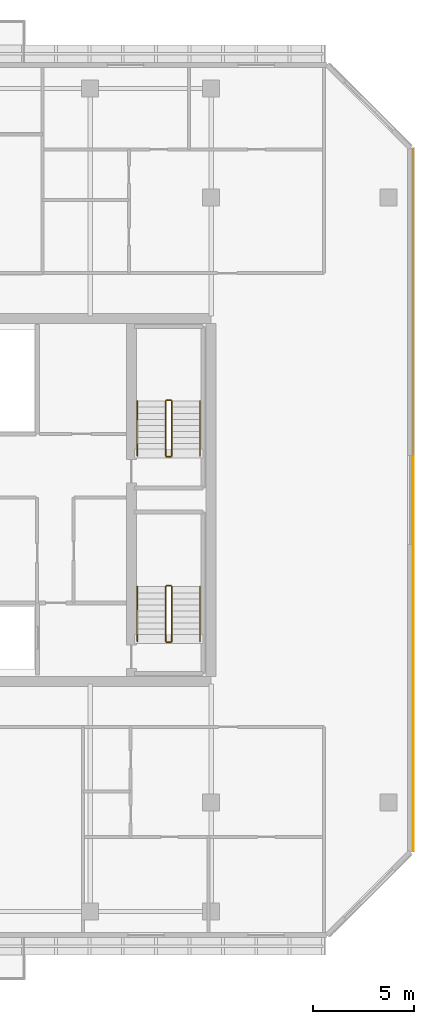
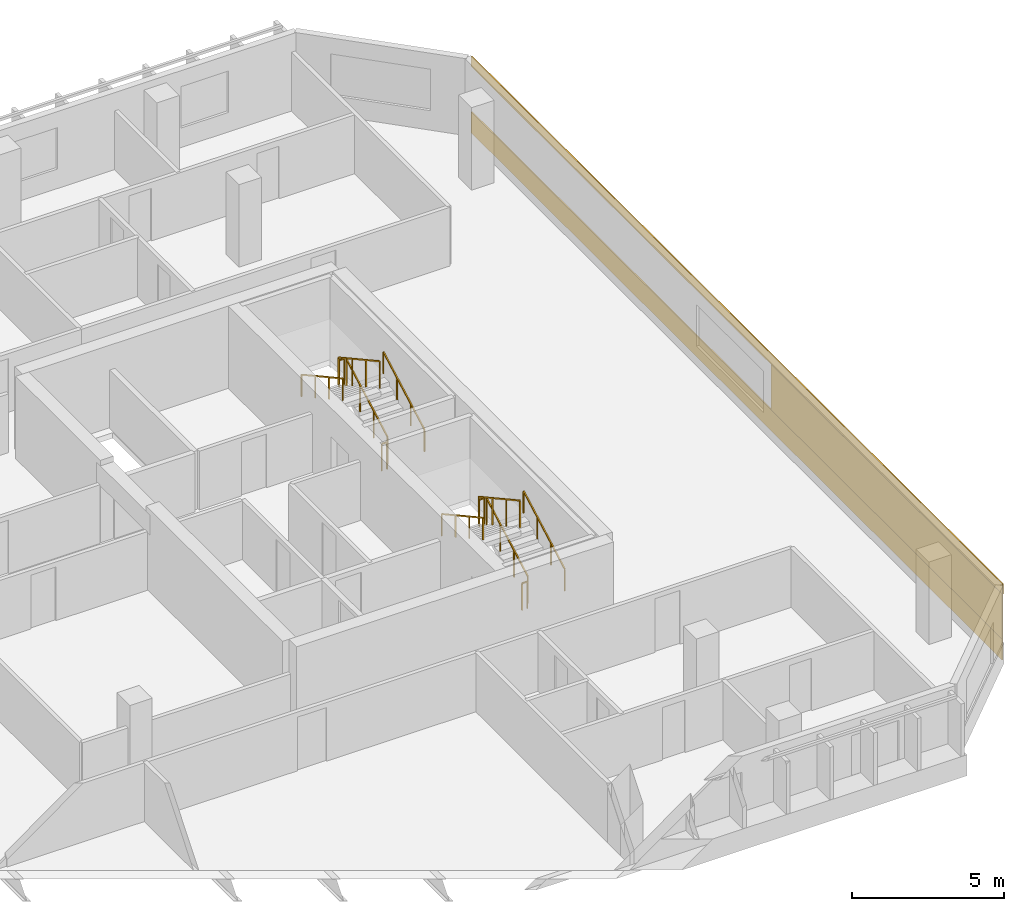
# One storey, part 18 of 19: 12 railings, 3 coverings.
"""IFC4 building model written with IfcOpenShell, lengths in metres."""

from ifc_helpers import new_model, si_unit, direction, frame, origin, origin_2d, place, context, subcontext, project, spatial, rectangle, extrude, material, layer, layer_set, type_object, element, save


model = new_model("IFC4")

# Units and contexts
model_context = context("Model", 3, precision=1e-05, world=origin(), true_north=direction((0.0, 1.0)))
body_context = subcontext(model_context, "Body", "Model", "MODEL_VIEW")
ifc_project = project(units=[si_unit("LENGTHUNIT", "METRE"), si_unit("AREAUNIT", "SQUARE_METRE"), si_unit("VOLUMEUNIT", "CUBIC_METRE"), si_unit("PLANEANGLEUNIT", "RADIAN"), si_unit("MASSUNIT", "GRAM", prefix="KILO")], contexts=[model_context])

# Site, building, storey
site_placement = place(None, origin())
site = spatial("IfcSite", under=ifc_project, at=site_placement, CompositionType="ELEMENT")
building_placement = place(site_placement, origin())
building = spatial("IfcBuilding", under=site, at=building_placement, Name="Tanjung Sevakor Pilgrim Tower", CompositionType="ELEMENT")
storey_placement = place(building_placement, frame((0.0, 0.0, 155.10009765625)))
storey = spatial("IfcBuildingStorey", under=building, at=storey_placement, Name="L43", CompositionType="ELEMENT", Elevation=155.10009765625)

# Coverings
ifc_material_1 = material(Name="Reconstructed Limestone Cladding", Category="masonry")
ifc_layer = layer(ifc_material_1, 0.044921875)
ifc_layer_set = layer_set([ifc_layer], Name="COV-CLAD-LIMESTONE")
covering_type = type_object("IfcCoveringType", Name="COV-CLAD-LIMESTONE", PredefinedType="CLADDING", material=ifc_layer_set)
covering_1_placement = place(storey_placement, frame((100.0224609375, 33.60009765625, 0.009765625), z_axis=(0.0, 0.0, 1.0), x_axis=(0.0, 1.0, 0.0)))
element("IfcCovering", 1, at=covering_1_placement, inside=storey, type_object=covering_type, Name="L43 Warm Limestone Sill Spandrel EW-L43-MAIN-7-1", PredefinedType="CLADDING", context=body_context, shape_type="SweptSolid", body=[
    extrude(rectangle(XDim=34.81640625, YDim=0.044921875, at=origin_2d()), origin(), (0.0, 0.0, 1.0), 0.840087890625),
])
covering_2_placement = place(storey_placement, frame((100.0224609375, 33.60009765625, 2.66015625), z_axis=(0.0, 0.0, 1.0), x_axis=(0.0, 1.0, 0.0)))
element("IfcCovering", 2, at=covering_2_placement, inside=storey, type_object=covering_type, Name="L43 Warm Limestone Cornice Spandrel EW-L43-MAIN-7", PredefinedType="CLADDING", context=body_context, shape_type="SweptSolid", body=[
    extrude(rectangle(XDim=34.8564453125, YDim=0.044921875, at=origin_2d()), origin(), (0.0, 0.0, 1.0), 0.409912109375),
])
covering_3_placement = place(storey_placement, frame((100.0224609375, 23.77099609375, 0.849853515625), z_axis=(0.0, 0.0, 1.0), x_axis=(0.0, 1.0, 0.0)))
element("IfcCovering", 3, at=covering_3_placement, inside=storey, type_object=covering_type, Name="L43 Warm Limestone Pier Panel EW-L43-MAIN-7-1", PredefinedType="CLADDING", context=body_context, shape_type="SweptSolid", body=[
    extrude(rectangle(XDim=15.158203125, YDim=0.044921875, at=origin_2d()), origin(), (0.0, 0.0, 1.0), 1.81005859375),
])

# Railings
ifc_material_2 = material(Name="Steel S355J2", Category="steel")
railing_type_1 = type_object("IfcRailingType", Name="RL-STAIR-GUARD", PredefinedType="GUARDRAIL", material=ifc_material_2)
railing_1_placement = place(storey_placement, frame((88.050048828125, 26.60009765625, 0.164794921875)))
element("IfcRailing", 4, at=railing_1_placement, inside=storey, type_object=railing_type_1, Name="L43 TS-E1 stair guard 1", PredefinedType="GUARDRAIL", context=body_context, shape_type="SweptSolid", body=[
    extrude(rectangle(XDim=0.0479, YDim=0.0479), frame((0.0, 0.0, 1.076171875), z_axis=(0.0, 0.876197507361, 0.481952205197), x_axis=(-1.0, 0.0, 0.0)), (0.0, 0.0, 1.0), 3.08154296875),
    extrude(rectangle(XDim=0.042, YDim=0.042), origin(), (0.0, 0.0, 1.0), 1.052001953125),
    extrude(rectangle(XDim=0.042, YDim=0.042), frame((0.0, 0.89990234375, 0.4951171875)), (0.0, 0.0, 1.0), 1.052001953125),
    extrude(rectangle(XDim=0.042, YDim=0.042), frame((0.0, 1.800048828125, 0.989990234375)), (0.0, 0.0, 1.0), 1.052001953125),
    extrude(rectangle(XDim=0.042, YDim=0.042), frame((0.0, 2.699951171875, 1.485107421875)), (0.0, 0.0, 1.0), 1.052001953125),
])
railing_2_placement = place(storey_placement, frame((88.0, 29.35009765625, 1.64990234375)))
element("IfcRailing", 5, at=railing_2_placement, inside=storey, type_object=railing_type_1, Name="L43 TS-E1 stair guard 2", PredefinedType="GUARDRAIL", context=body_context, shape_type="SweptSolid", body=[
    extrude(rectangle(XDim=0.0479, YDim=0.0479), frame((0.0, 0.0, 1.076171875), z_axis=(-1.0, 0.0, 0.0), x_axis=(0.0, -1.0, 0.0)), (0.0, 0.0, 1.0), 0.199951171875),
    extrude(rectangle(XDim=0.042, YDim=0.042), origin(), (0.0, 0.0, 1.0), 1.052001953125),
    extrude(rectangle(XDim=0.042, YDim=0.042), frame((-0.199951171875, 0.0, 0.0)), (0.0, 0.0, 1.0), 1.052001953125),
])
railing_3_placement = place(storey_placement, frame((87.75, 29.300048828125, 1.81494140625)))
element("IfcRailing", 6, at=railing_3_placement, inside=storey, type_object=railing_type_1, Name="L43 TS-E1 stair guard 3", PredefinedType="GUARDRAIL", context=body_context, shape_type="SweptSolid", body=[
    extrude(rectangle(XDim=0.0479, YDim=0.0479), frame((0.0, 0.0, 1.076171875), z_axis=(0.0, -0.876230963923, 0.481891375584), x_axis=(1.0, 0.0, 0.0)), (0.0, 0.0, 1.0), 3.081298828125),
    extrude(rectangle(XDim=0.042, YDim=0.042), origin(), (0.0, 0.0, 1.0), 1.052001953125),
    extrude(rectangle(XDim=0.042, YDim=0.042), frame((0.0, -0.89990234375, 0.494873046875)), (0.0, 0.0, 1.0), 1.052001953125),
    extrude(rectangle(XDim=0.042, YDim=0.042), frame((0.0, -1.800048828125, 0.989990234375)), (0.0, 0.0, 1.0), 1.052001953125),
    extrude(rectangle(XDim=0.042, YDim=0.042), frame((0.0, -2.699951171875, 1.48486328125)), (0.0, 0.0, 1.0), 1.052001953125),
])
railing_4_placement = place(storey_placement, frame((88.0, 26.550048828125, 0.0)))
element("IfcRailing", 7, at=railing_4_placement, inside=storey, type_object=railing_type_1, Name="L43 TS-E1 stair guard 4", PredefinedType="GUARDRAIL", context=body_context, shape_type="SweptSolid", body=[
    extrude(rectangle(XDim=0.0479, YDim=0.0479), frame((0.0, 0.0, 1.076171875), z_axis=(-1.0, 0.0, 0.0), x_axis=(0.0, -1.0, 0.0)), (0.0, 0.0, 1.0), 0.199951171875),
    extrude(rectangle(XDim=0.042, YDim=0.042), origin(), (0.0, 0.0, 1.0), 1.052001953125),
    extrude(rectangle(XDim=0.042, YDim=0.042), frame((-0.199951171875, 0.0, 0.0)), (0.0, 0.0, 1.0), 1.052001953125),
])
railing_5_placement = place(storey_placement, frame((88.050048828125, 35.800048828125, 0.164794921875)))
element("IfcRailing", 8, at=railing_5_placement, inside=storey, type_object=railing_type_1, Name="L43 TS-E2 stair guard 1", PredefinedType="GUARDRAIL", context=body_context, shape_type="SweptSolid", body=[
    extrude(rectangle(XDim=0.0479, YDim=0.0479), frame((0.0, 0.0, 1.076171875), z_axis=(0.0, 0.876197507361, 0.481952205197), x_axis=(-1.0, 0.0, 0.0)), (0.0, 0.0, 1.0), 3.08154296875),
    extrude(rectangle(XDim=0.042, YDim=0.042), origin(), (0.0, 0.0, 1.0), 1.052001953125),
    extrude(rectangle(XDim=0.042, YDim=0.042), frame((0.0, 0.89990234375, 0.4951171875)), (0.0, 0.0, 1.0), 1.052001953125),
    extrude(rectangle(XDim=0.042, YDim=0.042), frame((0.0, 1.800048828125, 0.989990234375)), (0.0, 0.0, 1.0), 1.052001953125),
    extrude(rectangle(XDim=0.042, YDim=0.042), frame((0.0, 2.699951171875, 1.485107421875)), (0.0, 0.0, 1.0), 1.052001953125),
])
railing_6_placement = place(storey_placement, frame((88.0, 38.550048828125, 1.64990234375)))
element("IfcRailing", 9, at=railing_6_placement, inside=storey, type_object=railing_type_1, Name="L43 TS-E2 stair guard 2", PredefinedType="GUARDRAIL", context=body_context, shape_type="SweptSolid", body=[
    extrude(rectangle(XDim=0.0479, YDim=0.0479), frame((0.0, 0.0, 1.076171875), z_axis=(-1.0, 0.0, 0.0), x_axis=(0.0, -1.0, 0.0)), (0.0, 0.0, 1.0), 0.199951171875),
    extrude(rectangle(XDim=0.042, YDim=0.042), origin(), (0.0, 0.0, 1.0), 1.052001953125),
    extrude(rectangle(XDim=0.042, YDim=0.042), frame((-0.199951171875, 0.0, 0.0)), (0.0, 0.0, 1.0), 1.052001953125),
])
railing_7_placement = place(storey_placement, frame((87.75, 38.5, 1.81494140625)))
element("IfcRailing", 10, at=railing_7_placement, inside=storey, type_object=railing_type_1, Name="L43 TS-E2 stair guard 3", PredefinedType="GUARDRAIL", context=body_context, shape_type="SweptSolid", body=[
    extrude(rectangle(XDim=0.0479, YDim=0.0479), frame((0.0, 0.0, 1.076171875), z_axis=(0.0, -0.876230963923, 0.481891375584), x_axis=(1.0, 0.0, 0.0)), (0.0, 0.0, 1.0), 3.081298828125),
    extrude(rectangle(XDim=0.042, YDim=0.042), origin(), (0.0, 0.0, 1.0), 1.052001953125),
    extrude(rectangle(XDim=0.042, YDim=0.042), frame((0.0, -0.89990234375, 0.494873046875)), (0.0, 0.0, 1.0), 1.052001953125),
    extrude(rectangle(XDim=0.042, YDim=0.042), frame((0.0, -1.800048828125, 0.989990234375)), (0.0, 0.0, 1.0), 1.052001953125),
    extrude(rectangle(XDim=0.042, YDim=0.042), frame((0.0, -2.699951171875, 1.48486328125)), (0.0, 0.0, 1.0), 1.052001953125),
])
railing_8_placement = place(storey_placement, frame((88.0, 35.75, 0.0)))
element("IfcRailing", 11, at=railing_8_placement, inside=storey, type_object=railing_type_1, Name="L43 TS-E2 stair guard 4", PredefinedType="GUARDRAIL", context=body_context, shape_type="SweptSolid", body=[
    extrude(rectangle(XDim=0.0479, YDim=0.0479), frame((0.0, 0.0, 1.076171875), z_axis=(-1.0, 0.0, 0.0), x_axis=(0.0, -1.0, 0.0)), (0.0, 0.0, 1.0), 0.199951171875),
    extrude(rectangle(XDim=0.042, YDim=0.042), origin(), (0.0, 0.0, 1.0), 1.052001953125),
    extrude(rectangle(XDim=0.042, YDim=0.042), frame((-0.199951171875, 0.0, 0.0)), (0.0, 0.0, 1.0), 1.052001953125),
])
ifc_material_3 = material(Name="Steel S355J2", Category="steel")
railing_type_2 = type_object("IfcRailingType", Name="RL-STAIR-HAND", PredefinedType="HANDRAIL", material=ifc_material_3)
railing_9_placement = place(storey_placement, frame((89.449951171875, 26.60009765625, 0.164794921875)))
element("IfcRailing", 12, at=railing_9_placement, inside=storey, type_object=railing_type_2, Name="L43 TS-E1 stair handrail 1", PredefinedType="HANDRAIL", context=body_context, shape_type="SweptSolid", body=[
    extrude(rectangle(XDim=0.0479, YDim=0.0479), frame((0.0, 0.0, 0.8759765625), z_axis=(0.0, 0.876197507361, 0.481952205197), x_axis=(-1.0, 0.0, 0.0)), (0.0, 0.0, 1.0), 3.08154296875),
    extrude(rectangle(XDim=0.042, YDim=0.042), origin(), (0.0, 0.0, 1.0), 0.851806640625),
    extrude(rectangle(XDim=0.042, YDim=0.042), frame((0.0, 0.89990234375, 0.4951171875)), (0.0, 0.0, 1.0), 0.851806640625),
    extrude(rectangle(XDim=0.042, YDim=0.042), frame((0.0, 1.800048828125, 0.989990234375)), (0.0, 0.0, 1.0), 0.851806640625),
    extrude(rectangle(XDim=0.042, YDim=0.042), frame((0.0, 2.699951171875, 1.485107421875)), (0.0, 0.0, 1.0), 0.851806640625),
])
railing_10_placement = place(storey_placement, frame((86.35009765625, 29.300048828125, 1.81494140625)))
element("IfcRailing", 13, at=railing_10_placement, inside=storey, type_object=railing_type_2, Name="L43 TS-E1 stair handrail 2", PredefinedType="HANDRAIL", context=body_context, shape_type="SweptSolid", body=[
    extrude(rectangle(XDim=0.0479, YDim=0.0479), frame((0.0, 0.0, 0.8759765625), z_axis=(0.0, -0.876230963923, 0.481891375584), x_axis=(1.0, 0.0, 0.0)), (0.0, 0.0, 1.0), 3.081298828125),
    extrude(rectangle(XDim=0.042, YDim=0.042), origin(), (0.0, 0.0, 1.0), 0.851806640625),
    extrude(rectangle(XDim=0.042, YDim=0.042), frame((0.0, -0.89990234375, 0.494873046875)), (0.0, 0.0, 1.0), 0.851806640625),
    extrude(rectangle(XDim=0.042, YDim=0.042), frame((0.0, -1.800048828125, 0.989990234375)), (0.0, 0.0, 1.0), 0.851806640625),
    extrude(rectangle(XDim=0.042, YDim=0.042), frame((0.0, -2.699951171875, 1.48486328125)), (0.0, 0.0, 1.0), 0.851806640625),
])
railing_11_placement = place(storey_placement, frame((89.449951171875, 35.800048828125, 0.164794921875)))
element("IfcRailing", 14, at=railing_11_placement, inside=storey, type_object=railing_type_2, Name="L43 TS-E2 stair handrail 1", PredefinedType="HANDRAIL", context=body_context, shape_type="SweptSolid", body=[
    extrude(rectangle(XDim=0.0479, YDim=0.0479), frame((0.0, 0.0, 0.8759765625), z_axis=(0.0, 0.876197507361, 0.481952205197), x_axis=(-1.0, 0.0, 0.0)), (0.0, 0.0, 1.0), 3.08154296875),
    extrude(rectangle(XDim=0.042, YDim=0.042), origin(), (0.0, 0.0, 1.0), 0.851806640625),
    extrude(rectangle(XDim=0.042, YDim=0.042), frame((0.0, 0.89990234375, 0.4951171875)), (0.0, 0.0, 1.0), 0.851806640625),
    extrude(rectangle(XDim=0.042, YDim=0.042), frame((0.0, 1.800048828125, 0.989990234375)), (0.0, 0.0, 1.0), 0.851806640625),
    extrude(rectangle(XDim=0.042, YDim=0.042), frame((0.0, 2.699951171875, 1.485107421875)), (0.0, 0.0, 1.0), 0.851806640625),
])
railing_12_placement = place(storey_placement, frame((86.35009765625, 38.5, 1.81494140625)))
element("IfcRailing", 15, at=railing_12_placement, inside=storey, type_object=railing_type_2, Name="L43 TS-E2 stair handrail 2", PredefinedType="HANDRAIL", context=body_context, shape_type="SweptSolid", body=[
    extrude(rectangle(XDim=0.0479, YDim=0.0479), frame((0.0, 0.0, 0.8759765625), z_axis=(0.0, -0.876230963923, 0.481891375584), x_axis=(1.0, 0.0, 0.0)), (0.0, 0.0, 1.0), 3.081298828125),
    extrude(rectangle(XDim=0.042, YDim=0.042), origin(), (0.0, 0.0, 1.0), 0.851806640625),
    extrude(rectangle(XDim=0.042, YDim=0.042), frame((0.0, -0.89990234375, 0.494873046875)), (0.0, 0.0, 1.0), 0.851806640625),
    extrude(rectangle(XDim=0.042, YDim=0.042), frame((0.0, -1.800048828125, 0.989990234375)), (0.0, 0.0, 1.0), 0.851806640625),
    extrude(rectangle(XDim=0.042, YDim=0.042), frame((0.0, -2.699951171875, 1.48486328125)), (0.0, 0.0, 1.0), 0.851806640625),
])

save(model, "model.ifc")
